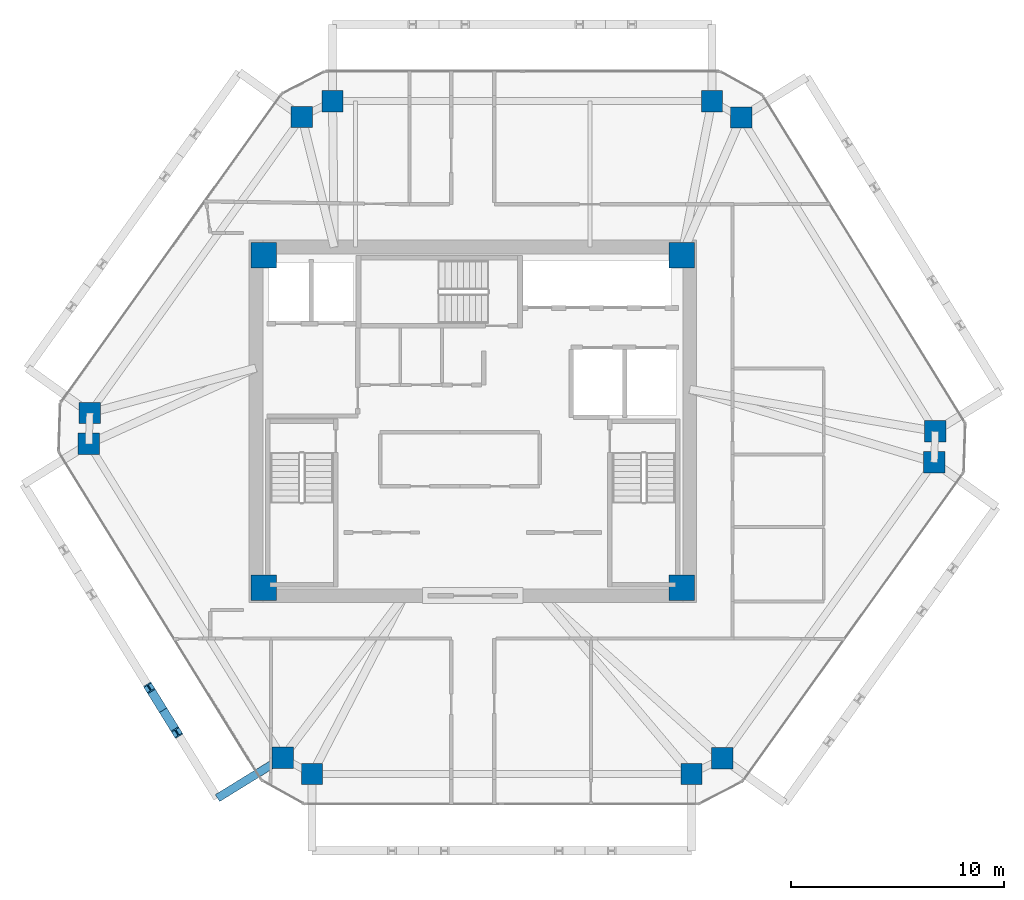
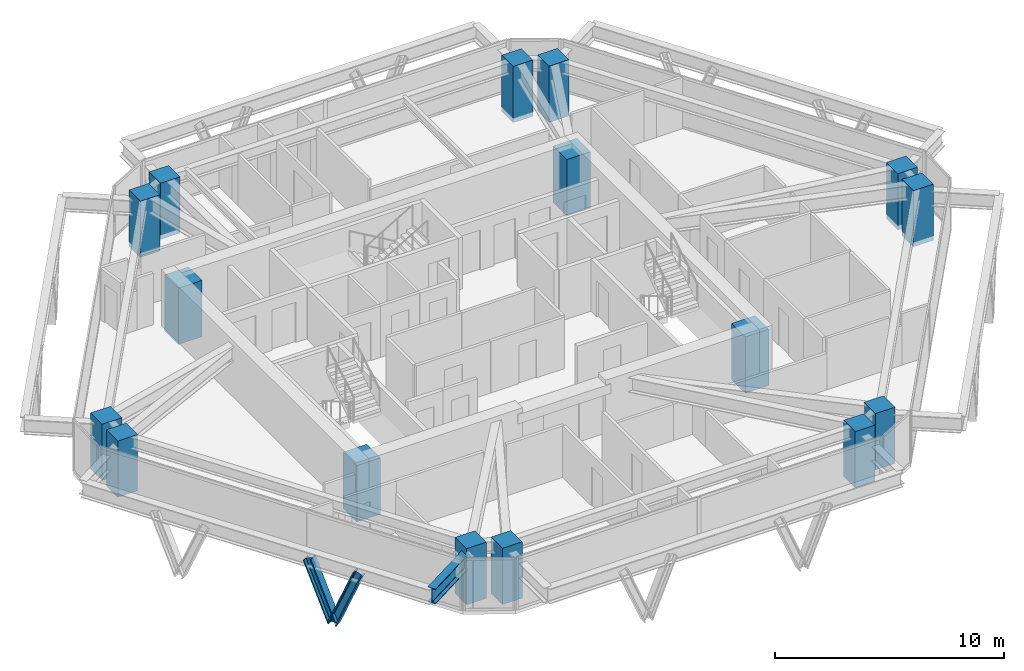
# One storey, part 1 of 12: 16 columns, 2 members, 1 beam.
"""IFC4 building model written with IfcOpenShell, lengths in metres."""

from ifc_helpers import new_model, si_unit, direction, frame, origin, origin_2d, place, context, subcontext, project, spatial, rectangle, i_section, extrude, source, transform, mapped, material, material_profile, profile_set, type_object, type_shapes, element, save


model = new_model("IFC4")

# Units and contexts
model_context = context("Model", 3, precision=1e-05, world=origin(), true_north=direction((0.0, 1.0)))
body_context = subcontext(model_context, "Body", "Model", "MODEL_VIEW")
ifc_project = project(units=[si_unit("LENGTHUNIT", "METRE"), si_unit("AREAUNIT", "SQUARE_METRE"), si_unit("VOLUMEUNIT", "CUBIC_METRE"), si_unit("PLANEANGLEUNIT", "RADIAN"), si_unit("MASSUNIT", "GRAM", prefix="KILO")], contexts=[model_context])

# Site, building, storey
site_placement = place(None, origin())
site = spatial("IfcSite", under=ifc_project, at=site_placement, CompositionType="ELEMENT")
building_placement = place(site_placement, origin())
building = spatial("IfcBuilding", under=site, at=building_placement, Name="Durnholm Broadcast Tower", CompositionType="ELEMENT")
storey_placement = place(building_placement, frame((0.0, 0.0, 203.199951171875)))
storey = spatial("IfcBuildingStorey", under=building, at=storey_placement, Name="L56", CompositionType="ELEMENT", Elevation=203.199951171875)

# Columns
ifc_material_1 = material(Name="Concrete C70/85", Category="concrete")
ifc_material_profile_1 = material_profile(ifc_material_1, rectangle(XDim=1.199951171875, YDim=1.199951171875, at=origin_2d()), Name="RC1200X1200")
ifc_profile_set_1 = profile_set([ifc_material_profile_1], Name="Concrete C70/85")
column_type_1 = type_object("IfcColumnType", Name="COL-CC-1200", PredefinedType="COLUMN", material=ifc_profile_set_1)
shared_shape_1 = source(origin(), body_context, "Body", "SweptSolid", [
    extrude(rectangle(XDim=1.199951171875, YDim=1.199951171875, at=origin_2d()), origin(), (0.0, 0.0, 1.0), 3.0),
])
type_shapes(column_type_1, [shared_shape_1])
for number, where, z_axis, x_axis, name in (
    (1, (-9.800048828125, -7.800048828125, -0.239990234375), (0.0, 0.0, 1.0), (1.0, 0.0, 0.0), "L56 core corner column 1"),
    (2, (9.800048828125, -7.800048828125, -0.239990234375), (0.0, 0.0, 1.0), (1.0, 0.0, 0.0), "L56 core corner column 2"),
    (3, (9.800048828125, 7.800048828125, -0.239990234375), (0.0, 0.0, 1.0), (1.0, 0.0, 0.0), "L56 core corner column 3"),
    (4, (-9.800048828125, 7.800048828125, -0.239990234375), (0.0, 0.0, 1.0), (1.0, 0.0, 0.0), "L56 core corner column 4"),
):
    element("IfcColumn", number, at=place(storey_placement, frame(where, z_axis=z_axis, x_axis=x_axis)), inside=storey, type_object=column_type_1, Name=name, PredefinedType="COLUMN", context=body_context, shape_type="MappedRepresentation", body=[
        mapped(shared_shape_1, transform((0.0, 0.0, 0.0), x_axis=(1.0, 0.0, 0.0), y_axis=(0.0, 1.0, 0.0), z_axis=(0.0, 0.0, 1.0), scale=1.0)),
    ])
ifc_material_profile_2 = material_profile(ifc_material_1, rectangle(XDim=1.0, YDim=1.0, at=origin_2d()), Name="RC1000X1000")
ifc_profile_set_2 = profile_set([ifc_material_profile_2], Name="Concrete C70/85")
column_type_2 = type_object("IfcColumnType", Name="COL-CC-1000", PredefinedType="COLUMN", material=ifc_profile_set_2)
shared_shape_2 = source(origin(), body_context, "Body", "SweptSolid", [
    extrude(rectangle(XDim=1.0, YDim=1.0, at=origin_2d()), origin(), (0.0, 0.0, 1.0), 3.0),
])
type_shapes(column_type_2, [shared_shape_2])
for number, where, z_axis, x_axis, name in (
    (5, (-8.91259765625, -15.7763671875, -0.239990234375), (0.0, 0.0, 1.0), (1.0, 0.0, 0.0), "L56 perimeter hexagonal tube column 01"),
    (6, (-18.009033203125, -1.056640625, -0.239990234375), (0.0, 0.0, 1.0), (1.0, 0.0, 0.0), "L56 perimeter hexagonal tube column 02"),
    (7, (-17.9599609375, 0.3955078125, -0.239990234375), (0.0, 0.0, 1.0), (1.0, 0.0, 0.0), "L56 perimeter hexagonal tube column 03"),
    (8, (-8.021728515625, 14.2763671875, -0.239990234375), (0.0, 0.0, 1.0), (1.0, 0.0, 0.0), "L56 perimeter hexagonal tube column 04"),
    (9, (-6.57861328125, 15.01806640625, -0.239990234375), (0.0, 0.0, 1.0), (1.0, 0.0, 0.0), "L56 perimeter hexagonal tube column 05"),
    (10, (11.217529296875, 15.01806640625, -0.239990234375), (0.0, 0.0, 1.0), (1.0, 0.0, 0.0), "L56 perimeter hexagonal tube column 06"),
    (11, (12.5908203125, 14.252197265625, -0.239990234375), (0.0, 0.0, 1.0), (1.0, 0.0, 0.0), "L56 perimeter hexagonal tube column 07"),
    (12, (21.68701171875, -0.46728515625, -0.239990234375), (0.0, 0.0, 1.0), (1.0, 0.0, 0.0), "L56 perimeter hexagonal tube column 08"),
    (13, (21.637939453125, -1.919677734375, -0.239990234375), (0.0, 0.0, 1.0), (1.0, 0.0, 0.0), "L56 perimeter hexagonal tube column 09"),
    (14, (11.69970703125, -15.80029296875, -0.239990234375), (0.0, 0.0, 1.0), (1.0, 0.0, 0.0), "L56 perimeter hexagonal tube column 10"),
    (15, (10.256591796875, -16.5419921875, -0.239990234375), (0.0, 0.0, 1.0), (1.0, 0.0, 0.0), "L56 perimeter hexagonal tube column 11"),
    (16, (-7.53955078125, -16.5419921875, -0.239990234375), (0.0, 0.0, 1.0), (1.0, 0.0, 0.0), "L56 perimeter hexagonal tube column 12"),
):
    element("IfcColumn", number, at=place(storey_placement, frame(where, z_axis=z_axis, x_axis=x_axis)), inside=storey, type_object=column_type_2, Name=name, PredefinedType="COLUMN", context=body_context, shape_type="MappedRepresentation", body=[
        mapped(shared_shape_2, transform((0.0, 0.0, 0.0), x_axis=(1.0, 0.0, 0.0), y_axis=(0.0, 1.0, 0.0), z_axis=(0.0, 0.0, 1.0), scale=1.0)),
    ])

# Beam
ifc_material_2 = material(Name="Steel ASTM A992 Grade 50", Category="steel")
ifc_material_profile_3 = material_profile(ifc_material_2, i_section(OverallWidth=0.385009765625, OverallDepth=0.802978515625, WebThickness=0.023681640625, FlangeThickness=0.0419921875, FilletRadius=0.032958984375, at=origin_2d()), Name="W30X261")
ifc_profile_set_3 = profile_set([ifc_material_profile_3], Name="Steel ASTM A992 Grade 50")
beam_type = type_object("IfcBeamType", Name="BM-EXO-TIE", PredefinedType="USERDEFINED", material=ifc_profile_set_3)
shared_shape_3 = source(origin(), body_context, "Body", "SweptSolid", [
    extrude(i_section(OverallWidth=0.385009765625, OverallDepth=0.802978515625, WebThickness=0.023681640625, FlangeThickness=0.0419921875, FilletRadius=0.032958984375, at=origin_2d()), origin(), (0.0, 0.0, 1.0), 3.4560546875),
])
type_shapes(beam_type, [shared_shape_3])
beam_placement = place(storey_placement, frame((-9.03515625, -15.85205078125, 2.008544921875), z_axis=(-0.850693939061, -0.525661318764, 0.0), x_axis=(0.525661318764, -0.850693939061, 0.0)))
element("IfcBeam", 17, at=beam_placement, inside=storey, type_object=beam_type, Name="L56 exoskeleton stand-off tie bracket F6.2", ObjectType="GIRDER", PredefinedType="USERDEFINED", context=body_context, shape_type="MappedRepresentation", body=[
    mapped(shared_shape_3, transform((0.0, 0.0, 0.0), x_axis=(1.0, 0.0, 0.0), y_axis=(0.0, 1.0, 0.0), z_axis=(0.0, 0.0, 1.0), scale=1.0)),
])

# Members
ifc_material_3 = material(Name="Steel ASTM A913 Grade 65", Category="steel")
ifc_material_profile_4 = material_profile(ifc_material_3, i_section(OverallWidth=0.412109375, OverallDepth=0.434814453125, WebThickness=0.035888671875, FlangeThickness=0.057373046875, FilletRadius=0.030517578125, at=origin_2d()), Name="W14X311")
ifc_profile_set_4 = profile_set([ifc_material_profile_4], Name="Steel ASTM A913 Grade 65")
member_type = type_object("IfcMemberType", Name="STL-DG-W14X311", PredefinedType="BRACE", material=ifc_profile_set_4)
shared_shape_4 = source(origin(), body_context, "Body", "SweptSolid", [
    extrude(i_section(OverallWidth=0.412109375, OverallDepth=0.434814453125, WebThickness=0.035888671875, FlangeThickness=0.057373046875, FilletRadius=0.030517578125, at=origin_2d()), origin(), (0.0, 0.0, 1.0), 3.24365234375),
])
member_1_placement = place(storey_placement, frame((-14.522216796875, -13.54736328125, -0.991455078125), z_axis=(-0.19990238351, 0.323561877527, 0.924849581542), x_axis=(-0.850732935913, -0.525598203719, 0.0)))
element("IfcMember", 18, at=member_1_placement, inside=storey, type_object=member_type, Name="L56 stand-off diagrid brace F6.D2.1", PredefinedType="BRACE", context=body_context, shape_type="MappedRepresentation", body=[
    mapped(shared_shape_4, transform((0.0, 0.0, 0.0), x_axis=(1.0, 0.0, 0.0), y_axis=(0.0, 1.0, 0.0), z_axis=(0.0, 0.0, 1.0), scale=1.0)),
])
shared_shape_5 = source(origin(), body_context, "Body", "SweptSolid", [
    extrude(i_section(OverallWidth=0.412109375, OverallDepth=0.434814453125, WebThickness=0.035888671875, FlangeThickness=0.057373046875, FilletRadius=0.030517578125, at=origin_2d()), origin(), (0.0, 0.0, 1.0), 3.243896484375),
])
type_shapes(member_type, [shared_shape_4, shared_shape_5])
member_2_placement = place(storey_placement, frame((-14.522216796875, -13.54736328125, -0.991455078125), z_axis=(0.199974638691, -0.323557008556, 0.924835664372), x_axis=(0.850644447398, 0.525741404219, 0.0)))
element("IfcMember", 19, at=member_2_placement, inside=storey, type_object=member_type, Name="L56 stand-off diagrid brace F6.D2.2", PredefinedType="BRACE", context=body_context, shape_type="MappedRepresentation", body=[
    mapped(shared_shape_5, transform((0.0, 0.0, 0.0), x_axis=(1.0, 0.0, 0.0), y_axis=(0.0, 1.0, 0.0), z_axis=(0.0, 0.0, 1.0), scale=1.0)),
])

save(model, "model.ifc")
